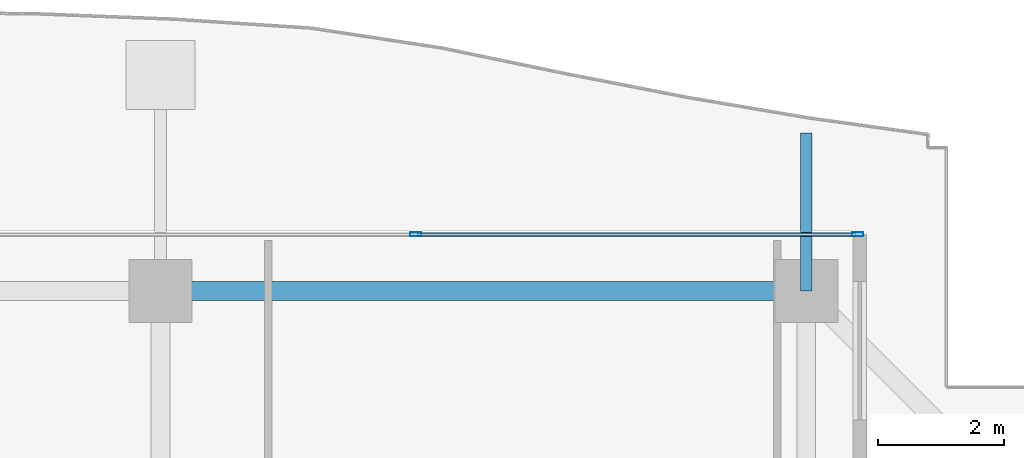
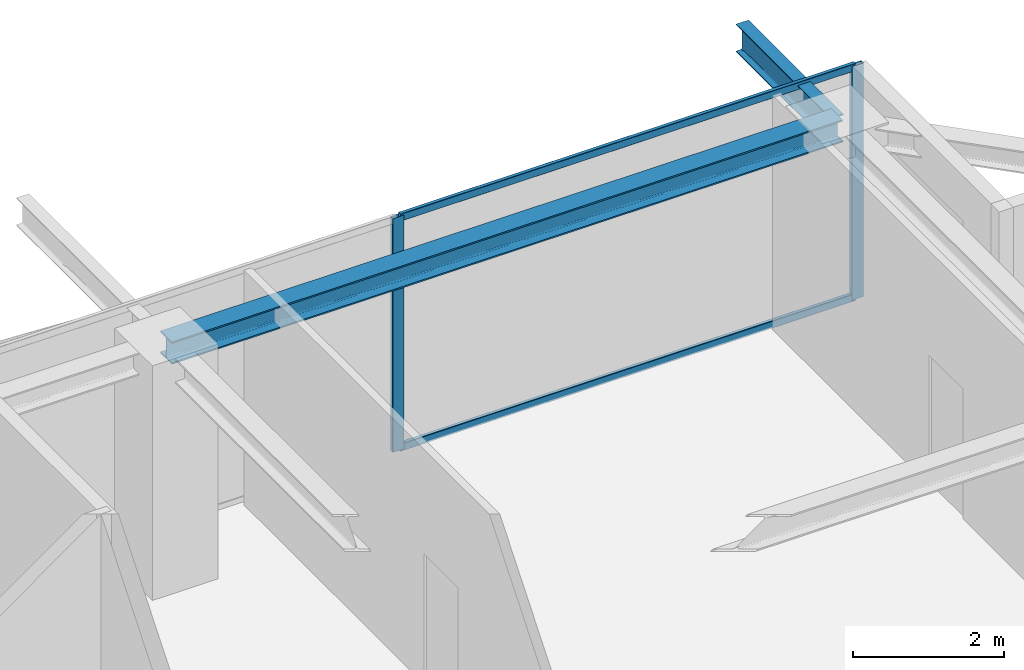
# One storey, part 26 of 39: 4 members, 2 beams, 1 element without a shape of its own.
"""IFC4 building model written with IfcOpenShell, lengths in metres."""

from ifc_helpers import new_model, si_unit, direction, frame, origin, origin_2d, place, context, subcontext, project, spatial, hollow_rectangle, i_section, extrude, source, transform, mapped, material, layer, layer_set, material_profile, profile_set, type_object, element, aggregate, save


model = new_model("IFC4")

# Units and contexts
model_context = context("Model", 3, precision=1e-05, world=origin(), true_north=direction((0.0, 1.0)))
body_context = subcontext(model_context, "Body", "Model", "MODEL_VIEW")
ifc_project = project(units=[si_unit("LENGTHUNIT", "METRE"), si_unit("AREAUNIT", "SQUARE_METRE"), si_unit("VOLUMEUNIT", "CUBIC_METRE"), si_unit("PLANEANGLEUNIT", "RADIAN"), si_unit("MASSUNIT", "GRAM", prefix="KILO")], contexts=[model_context])

# Site, building, storey
site_placement = place(None, origin())
site = spatial("IfcSite", under=ifc_project, at=site_placement, CompositionType="ELEMENT")
building_placement = place(site_placement, origin())
building = spatial("IfcBuilding", under=site, at=building_placement, Name="Serunith Strait Residences", CompositionType="ELEMENT")
storey_placement = place(building_placement, frame((0.0, 0.0, 329.89990234375)))
storey = spatial("IfcBuildingStorey", under=building, at=storey_placement, Name="L82", CompositionType="ELEMENT", Elevation=329.89990234375)

# Beams
ifc_material_1 = material(Name="Steel S355J2", Category="steel")
ifc_material_profile_1 = material_profile(ifc_material_1, i_section(OverallWidth=0.300048828125, OverallDepth=0.360107421875, WebThickness=0.012451171875, FlangeThickness=0.0224609375, FilletRadius=0.027099609375, at=origin_2d()), Name="HEB 360")
ifc_profile_set_1 = profile_set([ifc_material_profile_1], Name="Steel S355J2")
beam_type_1 = type_object("IfcBeamType", Name="BM-HEB360", PredefinedType="BEAM", material=ifc_profile_set_1)
shared_shape_1 = source(origin(), body_context, "Body", "SweptSolid", [
    extrude(i_section(OverallWidth=0.300048828125, OverallDepth=0.360107421875, WebThickness=0.012451171875, FlangeThickness=0.0224609375, FilletRadius=0.027099609375, at=origin_2d()), origin(), (0.0, 0.0, 1.0), 10.25),
])
beam_1_placement = place(storey_placement, frame((47.14990234375, 47.10009765625, 3.607177734375), z_axis=(-1.0, 0.0, 0.0), x_axis=(0.0, -1.0, 0.0)))
element("IfcBeam", 1, at=beam_1_placement, inside=storey, type_object=beam_type_1, Name="L82 Perimeter Ring Beam 09", PredefinedType="BEAM", context=body_context, shape_type="MappedRepresentation", body=[
    mapped(shared_shape_1, transform((0.0, 0.0, 0.0), scale=1.0)),
])
ifc_material_profile_2 = material_profile(ifc_material_1, i_section(OverallWidth=0.18994140625, OverallDepth=0.449951171875, WebThickness=0.009521484375, FlangeThickness=0.0146484375, FilletRadius=0.02099609375, at=origin_2d()), Name="IPE 450")
ifc_profile_set_2 = profile_set([ifc_material_profile_2], Name="Steel S355J2")
beam_type_2 = type_object("IfcBeamType", Name="BM-IPE450", PredefinedType="JOIST", material=ifc_profile_set_2)
shared_shape_2 = source(origin(), body_context, "Body", "SweptSolid", [
    extrude(i_section(OverallWidth=0.18994140625, OverallDepth=0.449951171875, WebThickness=0.009521484375, FlangeThickness=0.0146484375, FilletRadius=0.02099609375, at=origin_2d()), origin(), (0.0, 0.0, 1.0), 2.50732421875),
])
beam_2_placement = place(storey_placement, frame((47.14990234375, 47.10009765625, 3.531982421875), z_axis=(0.0, 1.0, 0.0), x_axis=(-1.0, 0.0, 0.0)))
element("IfcBeam", 2, at=beam_2_placement, inside=storey, type_object=beam_type_2, Name="L83 Cantilevered Balcony Rib TC-N4", PredefinedType="JOIST", context=body_context, shape_type="MappedRepresentation", body=[
    mapped(shared_shape_2, transform((0.0, 0.0, 0.0), scale=1.0)),
])

# Curtain wall, members
ifc_material_2 = material(Name="Brushed Stainless-Silver Aluminium", Category="aluminium")
ifc_layer = layer(ifc_material_2, 0.199951171875, Name="Brushed Stainless-Silver Aluminium")
ifc_layer_set = layer_set([ifc_layer], Name="Brushed Stainless-Silver Aluminium")
curtain_wall_type = type_object("IfcCurtainWallType", Name="CW-SYS5", PredefinedType="NOTDEFINED", material=ifc_layer_set)
curtain_wall_placement = place(storey_placement, origin())
curtain_wall = element("IfcCurtainWall", 3, at=curtain_wall_placement, inside=storey, type_object=curtain_wall_type, Name="L82 N Unitised Fritted Curtain Wall", PredefinedType="NOTDEFINED")
ifc_material_profile_3 = material_profile(ifc_material_2, hollow_rectangle(XDim=0.06494140625, YDim=0.179931640625, WallThickness=0.00341796875, InnerFilletRadius=0.00537109375, OuterFilletRadius=0.0087890625, at=origin_2d()), Name="ALU 180x65x3.5")
ifc_profile_set_3 = profile_set([ifc_material_profile_3], Name="Brushed Stainless-Silver Aluminium")
member_type_1 = type_object("IfcMemberType", Name="CW-SYS5-MULL", PredefinedType="MULLION", material=ifc_profile_set_3)
shared_shape_3 = source(origin(), body_context, "Body", "SweptSolid", [
    extrude(hollow_rectangle(XDim=0.06494140625, YDim=0.179931640625, WallThickness=0.00341796875, InnerFilletRadius=0.00537109375, OuterFilletRadius=0.0087890625, at=origin_2d()), origin(), (0.0, 0.0, 1.0), 3.775146484375),
])
member_1_placement = place(storey_placement, frame((47.967529296875, 48.0, 0.0), z_axis=(0.0, 0.0, 1.0), x_axis=(0.0, -1.0, 0.0)))
member_1 = element("IfcMember", 4, at=member_1_placement, type_object=member_type_1, Name="CW-5 mullion 1", PredefinedType="MULLION", context=body_context, shape_type="MappedRepresentation", body=[
    mapped(shared_shape_3, transform((0.0, 0.0, 0.0), scale=1.0)),
])
member_2_placement = place(storey_placement, frame((40.949951171875, 48.0, 0.0), z_axis=(0.0, 0.0, 1.0), x_axis=(0.0, -1.0, 0.0)))
member_2 = element("IfcMember", 5, at=member_2_placement, type_object=member_type_1, Name="CW-5 mullion 2", PredefinedType="MULLION", context=body_context, shape_type="MappedRepresentation", body=[
    mapped(shared_shape_3, transform((0.0, 0.0, 0.0), scale=1.0)),
])
ifc_material_profile_4 = material_profile(ifc_material_2, hollow_rectangle(XDim=0.06005859375, YDim=0.1201171875, WallThickness=0.00341796875, InnerFilletRadius=0.00537109375, OuterFilletRadius=0.0087890625, at=origin_2d()), Name="ALU 120x60x3.5")
ifc_profile_set_4 = profile_set([ifc_material_profile_4], Name="Brushed Stainless-Silver Aluminium")
member_type_2 = type_object("IfcMemberType", Name="CW-SYS5-TRAN", PredefinedType="USERDEFINED", material=ifc_profile_set_4)
shared_shape_4 = source(origin(), body_context, "Body", "SweptSolid", [
    extrude(hollow_rectangle(XDim=0.06005859375, YDim=0.1201171875, WallThickness=0.00341796875, InnerFilletRadius=0.00537109375, OuterFilletRadius=0.0087890625, at=origin_2d()), origin(), (0.0, 0.0, 1.0), 6.95263671875),
])
member_3_placement = place(storey_placement, frame((47.93505859375, 48.0, 0.030029296875), z_axis=(-1.0, 0.0, 0.0), x_axis=(0.0, -1.0, 0.0)))
member_3 = element("IfcMember", 6, at=member_3_placement, type_object=member_type_2, Name="CW-5 transom 1.1", ObjectType="TRANSOM", PredefinedType="USERDEFINED", context=body_context, shape_type="MappedRepresentation", body=[
    mapped(shared_shape_4, transform((0.0, 0.0, 0.0), scale=1.0)),
])
member_4_placement = place(storey_placement, frame((47.93505859375, 48.0, 3.7451171875), z_axis=(-1.0, 0.0, 0.0), x_axis=(0.0, -1.0, 0.0)))
member_4 = element("IfcMember", 7, at=member_4_placement, type_object=member_type_2, Name="CW-5 transom 1.2", ObjectType="TRANSOM", PredefinedType="USERDEFINED", context=body_context, shape_type="MappedRepresentation", body=[
    mapped(shared_shape_4, transform((0.0, 0.0, 0.0), scale=1.0)),
])
aggregate(curtain_wall, [member_1, member_2, member_3, member_4])

save(model, "model.ifc")
